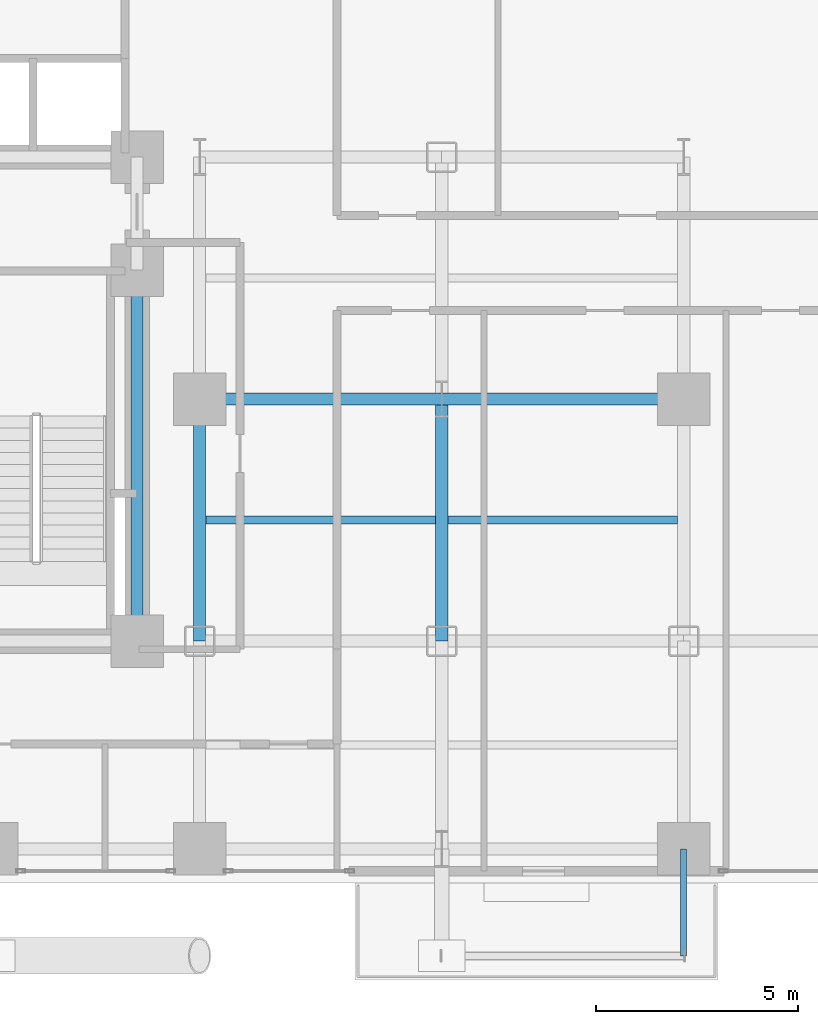
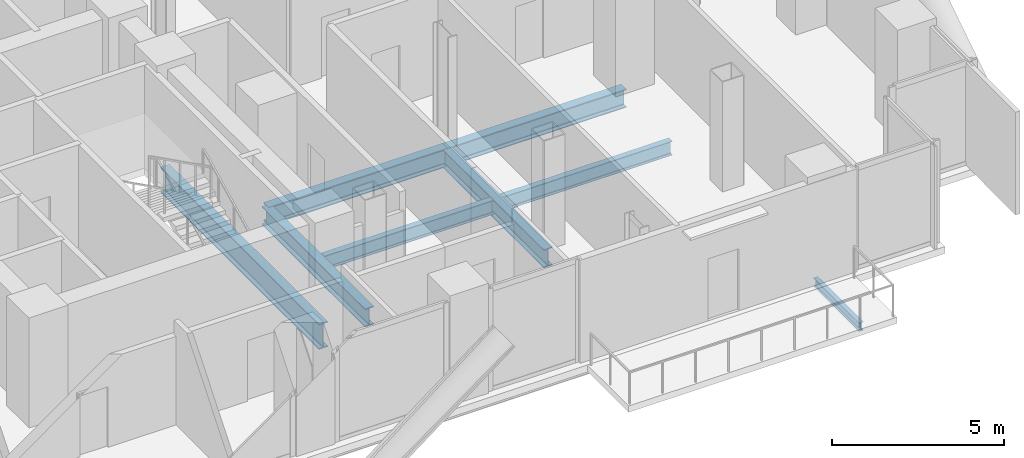
# One storey, part 9 of 27: 8 beams.
"""IFC4 building model written with IfcOpenShell, lengths in metres."""

import ifcopenshell
import ifcopenshell.guid

model = None  # the IFC model being written
_history = None  # IfcOwnerHistory: only IFC2X3 demands one
_inside = {}  # id of a spatial element -> (the spatial element, [elements in it])
_under = {}  # id of a project, library or spatial element -> (it, [spatial elements below it])
_declared = {}  # id of a project -> (the project, [libraries it declares])
_typed = {}  # id of a type object -> (the type object, [elements of that type])
_made_of = {}  # id of a material, layer set ... -> (it, [elements and type objects made of it])


def new_model(schema):
    """Start an empty IFC model of exactly this schema.

    Asked for "IFC4X3", IfcOpenShell would pick the latest addendum, in which some entities
    have other attributes; the version numbers below select the first issue.
    IFC2X3 requires an IfcOwnerHistory on every rooted entity: one is made here for all.
    """
    global model, _history
    if schema == "IFC4X3":
        model = ifcopenshell.file(schema_version=(4, 3, 0, 0))
    else:
        model = ifcopenshell.file(schema=schema)
    _inside.clear()
    _under.clear()
    _declared.clear()
    _typed.clear()
    _made_of.clear()
    _history = None
    if model.schema == "IFC2X3":
        org = make("IfcOrganization", Name="unknown")
        user = make(
            "IfcPersonAndOrganization",
            ThePerson=make("IfcPerson", FamilyName="unknown"),
            TheOrganization=org,
        )
        app = make(
            "IfcApplication",
            ApplicationDeveloper=org,
            Version="unknown",
            ApplicationFullName="unknown",
            ApplicationIdentifier="unknown",
        )
        _history = make(
            "IfcOwnerHistory",
            OwningUser=user,
            OwningApplication=app,
            ChangeAction="ADDED",
            CreationDate=0,
        )
    return model


def make(cls, **values):
    """One entity of the class cls with the attributes given. An attribute that is None is left unset."""
    return model.create_entity(
        cls, **{name: value for name, value in values.items() if value is not None}
    )


def rooted(cls, **values):
    """An entity with a GlobalId (a new one), such as an element, a storey or a relation."""
    return make(cls, GlobalId=ifcopenshell.guid.new(), OwnerHistory=_history, **values)


def si_unit(unit_type, name, prefix=None):
    """IfcSIUnit, for example si_unit("LENGTHUNIT", "METRE", prefix="MILLI")."""
    return make("IfcSIUnit", UnitType=unit_type, Prefix=prefix, Name=name)


def assignment(units):
    """IfcUnitAssignment: the units of a project."""
    return None if units is None else make("IfcUnitAssignment", Units=units)


def point(xyz):
    """IfcCartesianPoint."""
    return None if xyz is None else make("IfcCartesianPoint", Coordinates=xyz)


def direction(xyz):
    """IfcDirection."""
    return None if xyz is None else make("IfcDirection", DirectionRatios=xyz)


def frame(location, z_axis=None, x_axis=None):
    """IfcAxis2Placement3D, a coordinate frame: its origin and axes. An axis left out is left unset."""
    return make(
        "IfcAxis2Placement3D",
        Location=point(location),
        Axis=direction(z_axis),
        RefDirection=direction(x_axis),
    )


def frame_2d(location, x_axis=None):
    """IfcAxis2Placement2D, a coordinate frame in the plane: its origin and x axis."""
    return make(
        "IfcAxis2Placement2D", Location=point(location), RefDirection=direction(x_axis)
    )


def origin():
    """The frame at (0, 0, 0) with its axes left unset."""
    return frame((0.0, 0.0, 0.0))


def origin_2d():
    """The frame at (0, 0) in the plane with its x axis left unset."""
    return frame_2d((0.0, 0.0))


def place(relative_to, where):
    """IfcLocalPlacement: puts the frame where relative to a parent placement (None: the world)."""
    return make(
        "IfcLocalPlacement", PlacementRelTo=relative_to, RelativePlacement=where
    )


def context(
    kind, dimensions, precision=None, world=None, true_north=None, identifier=None
):
    """IfcGeometricRepresentationContext, for example the 3D "Model" context."""
    return make(
        "IfcGeometricRepresentationContext",
        ContextIdentifier=identifier,
        ContextType=kind,
        CoordinateSpaceDimension=dimensions,
        Precision=precision,
        WorldCoordinateSystem=world,
        TrueNorth=true_north,
    )


def subcontext(parent, identifier, kind, view, scale=None):
    """IfcGeometricRepresentationSubContext, for example "Body" below "Model"."""
    return make(
        "IfcGeometricRepresentationSubContext",
        ContextIdentifier=identifier,
        ContextType=kind,
        ParentContext=parent,
        TargetScale=scale,
        TargetView=view,
    )


def project(units=None, contexts=None):
    """IfcProject with its units and contexts."""
    return rooted(
        "IfcProject",
        Name="project",
        RepresentationContexts=contexts,
        UnitsInContext=assignment(units),
    )


def spatial(cls, under=None, at=None, **own):
    """A site, building, storey or space (cls), placed at a placement, below another one or the project."""
    s = rooted(cls, ObjectPlacement=at, **own)
    if under is not None:
        _under.setdefault(under.id(), (under, []))[1].append(s)
    return s


def profile(cls, at=None, kind="AREA", **sizes):
    """A parametric profile (cls). Its sizes go by their IFC names, for example OverallWidth=200.0."""
    return make(cls, ProfileType=kind, Position=at, **sizes)


def i_section(**sizes):
    """IfcIShapeProfileDef."""
    return profile("IfcIShapeProfileDef", **sizes)


def extrude(swept, where, along, depth):
    """IfcExtrudedAreaSolid: the profile swept, set in the frame where, extruded along a direction by depth."""
    return make(
        "IfcExtrudedAreaSolid",
        SweptArea=swept,
        Position=where,
        ExtrudedDirection=direction(along),
        Depth=depth,
    )


def shape(context_of_items, identifier, shape_type, items):
    """IfcShapeRepresentation: the items that make up one representation, for example the "Body"."""
    return make(
        "IfcShapeRepresentation",
        ContextOfItems=context_of_items,
        RepresentationIdentifier=identifier,
        RepresentationType=shape_type,
        Items=items,
    )


def material(Name=None, Category=None):
    """IfcMaterial."""
    return make("IfcMaterial", Name=Name, Category=Category)


def material_profile(
    of_material, cross_section, Name=None, Category=None, Priority=None
):
    """IfcMaterialProfile: a cross section and its material."""
    return make(
        "IfcMaterialProfile",
        Name=Name,
        Material=of_material,
        Profile=cross_section,
        Priority=Priority,
        Category=Category,
    )


def profile_set(profiles, Name=None, composite=None):
    """IfcMaterialProfileSet."""
    return make(
        "IfcMaterialProfileSet",
        Name=Name,
        MaterialProfiles=profiles,
        CompositeProfile=composite,
    )


def made_of(thing, what):
    """Note that an element or type object is made of a material, layer set ...; save() writes the relation."""
    if what is not None:
        _made_of.setdefault(what.id(), (what, []))[1].append(thing)
    return thing


def type_object(cls, material=None, **own):
    """A type object (cls), such as IfcWallType, which elements share."""
    return made_of(rooted(cls, **own), material)


def element(
    cls,
    number,
    at=None,
    inside=None,
    cuts=None,
    type_object=None,
    material=None,
    context=None,
    identifier="Body",
    shape_type=None,
    held_by="IfcProductDefinitionShape",
    body=None,
    shapes=None,
    **own,
):
    """One element of the class cls, such as IfcWall. Its Tag is "e" and its number.

    at: its placement. inside: the storey or other place that contains it. cuts: it is an
    opening in that element (IfcRelVoidsElement). A single representation is given by context,
    identifier, shape_type and body (its items); several are given by shapes. held_by: the class
    of the entity that holds the representations. save() writes the other relations.
    """
    e = rooted(cls, Tag="e%d" % number, ObjectPlacement=at, **own)
    if body is not None:
        shapes = [shape(context, identifier, shape_type, body)]
    if shapes is not None:
        e.Representation = make(held_by, Representations=shapes)
    if inside is not None:
        _inside.setdefault(inside.id(), (inside, []))[1].append(e)
    if cuts is not None:
        rooted(
            "IfcRelVoidsElement", RelatingBuildingElement=cuts, RelatedOpeningElement=e
        )
    if type_object is not None:
        _typed.setdefault(type_object.id(), (type_object, []))[1].append(e)
    return made_of(e, material)


def aggregate(whole, parts):
    """IfcRelAggregates: a whole, such as a stair, and the parts it consists of."""
    return rooted("IfcRelAggregates", RelatingObject=whole, RelatedObjects=parts)


def save(model, path):
    """Write the relations noted so far, then the file.

    IfcRelAggregates (storeys below a building ...), IfcRelContainedInSpatialStructure (elements
    in a storey), IfcRelDefinesByType, IfcRelAssociatesMaterial and IfcRelDeclares: one each for
    every whole, place, type object, material and project.
    """
    for whole, parts in _under.values():
        aggregate(whole, parts)
    for where, things in _inside.values():
        rooted(
            "IfcRelContainedInSpatialStructure",
            RelatedElements=things,
            RelatingStructure=where,
        )
    for kind, things in _typed.values():
        rooted("IfcRelDefinesByType", RelatedObjects=things, RelatingType=kind)
    for what, things in _made_of.values():
        rooted("IfcRelAssociatesMaterial", RelatedObjects=things, RelatingMaterial=what)
    for by, libraries in _declared.values():
        rooted("IfcRelDeclares", RelatingContext=by, RelatedDefinitions=libraries)
    model.write(path)


model = new_model("IFC4")

# Units and contexts
model_context = context("Model", 3, precision=1e-05, world=origin(), true_north=direction((0.0, 1.0)))
body_context = subcontext(model_context, "Body", "Model", "MODEL_VIEW")
ifc_project = project(units=[si_unit("LENGTHUNIT", "METRE"), si_unit("AREAUNIT", "SQUARE_METRE"), si_unit("VOLUMEUNIT", "CUBIC_METRE"), si_unit("PLANEANGLEUNIT", "RADIAN"), si_unit("MASSUNIT", "GRAM", prefix="KILO"), si_unit("THERMODYNAMICTEMPERATUREUNIT", "KELVIN"), si_unit("POWERUNIT", "WATT")], contexts=[model_context])

# Site, building, storey
site_placement = place(None, origin())
site = spatial("IfcSite", under=ifc_project, at=site_placement, CompositionType="ELEMENT")
building_placement = place(site_placement, origin())
building = spatial("IfcBuilding", under=site, at=building_placement, Name="Svarakhadi Broadcast Tower", CompositionType="ELEMENT")
storey_placement = place(building_placement, frame((0.0, 0.0, 55.800048828125)))
storey = spatial("IfcBuildingStorey", under=building, at=storey_placement, Name="L12", CompositionType="ELEMENT", Elevation=55.800048828125)

# Beams
ifc_material_1 = material(Name="Steel S355J2 (IS 2062 E350C)", Category="steel")
ifc_material_profile_1 = material_profile(ifc_material_1, i_section(OverallWidth=0.199951171875, OverallDepth=0.5, WebThickness=0.01025390625, FlangeThickness=0.01611328125, FilletRadius=0.02099609375, at=origin_2d()), Name="NPB 500x200x91")
ifc_profile_set_1 = profile_set([ifc_material_profile_1], Name="Steel S355J2 (IS 2062 E350C)")
beam_type_1 = type_object("IfcBeamType", Name="Beam_NPB500", PredefinedType="BEAM", material=ifc_profile_set_1)
for number, where, z_axis, x_axis, name in (
    (1, (35.31005859375, 9.0, -0.5), (1.0, 0.0, 0.0), (0.0, 1.0, 0.0), "L12 Secondary Composite Beam SB023"),
    (2, (41.31005859375, 9.0, -0.5), (1.0, 0.0, 0.0), (0.0, 1.0, 0.0), "L12 Secondary Composite Beam SB026"),
):
    element("IfcBeam", number, at=place(storey_placement, frame(where, z_axis=z_axis, x_axis=x_axis)), inside=storey, type_object=beam_type_1, Name=name, PredefinedType="BEAM", context=body_context, shape_type="SweptSolid", body=[
        extrude(i_section(OverallWidth=0.199951171875, OverallDepth=0.5, WebThickness=0.01025390625, FlangeThickness=0.01611328125, FilletRadius=0.02099609375, at=origin_2d()), origin(), (0.0, 0.0, 1.0), 5.679931640625),
    ])
ifc_material_profile_2 = material_profile(ifc_material_1, i_section(OverallWidth=0.300048828125, OverallDepth=0.64990234375, WebThickness=0.01611328125, FlangeThickness=0.031005859375, FilletRadius=0.027099609375, at=origin_2d()), Name="WPB 650x300x225")
ifc_profile_set_2 = profile_set([ifc_material_profile_2], Name="Steel S355J2 (IS 2062 E350C)")
beam_type_2 = type_object("IfcBeamType", Name="Girder_WPB650", PredefinedType="USERDEFINED", material=ifc_profile_set_2)
for number, where, z_axis, x_axis, name in (
    (3, (35.14990234375, 12.0, -0.574951171875), (1.0, 0.0, 0.0), (0.0, 1.0, 0.0), "L12 Primary E-W Girder G023"),
    (4, (41.14990234375, 12.0, -0.574951171875), (1.0, 0.0, 0.0), (0.0, 1.0, 0.0), "L12 Primary E-W Girder G024"),
    (5, (35.14990234375, 6.0, -0.574951171875), (0.0, 1.0, 0.0), (-1.0, 0.0, 0.0), "L12 Primary N-S Girder G077"),
    (6, (41.14990234375, 6.0, -0.574951171875), (0.0, 1.0, 0.0), (-1.0, 0.0, 0.0), "L12 Primary N-S Girder G080"),
):
    element("IfcBeam", number, at=place(storey_placement, frame(where, z_axis=z_axis, x_axis=x_axis)), inside=storey, type_object=beam_type_2, Name=name, ObjectType="GIRDER", PredefinedType="USERDEFINED", context=body_context, shape_type="SweptSolid", body=[
        extrude(i_section(OverallWidth=0.300048828125, OverallDepth=0.64990234375, WebThickness=0.01611328125, FlangeThickness=0.031005859375, FilletRadius=0.027099609375, at=origin_2d()), origin(), (0.0, 0.0, 1.0), 6.0),
    ])
ifc_material_2 = material(Name="Steel S460ML (IS 2062 E450BR)", Category="steel")
ifc_material_profile_3 = material_profile(ifc_material_2, i_section(OverallWidth=0.300048828125, OverallDepth=0.89990234375, WebThickness=0.0185546875, FlangeThickness=0.034912109375, FilletRadius=0.030029296875, at=origin_2d()), Name="WPB 900x300x291")
ifc_profile_set_3 = profile_set([ifc_material_profile_3], Name="Steel S460ML (IS 2062 E450BR)")
beam_type_3 = type_object("IfcBeamType", Name="Girder_WPB900", PredefinedType="USERDEFINED", material=ifc_profile_set_3)
beam_1_placement = place(storey_placement, frame((33.60009765625, 6.0, -0.699951171875), z_axis=(0.0, 1.0, 0.0), x_axis=(-1.0, 0.0, 0.0)))
element("IfcBeam", 7, at=beam_1_placement, inside=storey, type_object=beam_type_3, Name="L12 Primary N-S Girder G074", ObjectType="GIRDER", PredefinedType="USERDEFINED", context=body_context, shape_type="SweptSolid", body=[
    extrude(i_section(OverallWidth=0.300048828125, OverallDepth=0.89990234375, WebThickness=0.0185546875, FlangeThickness=0.034912109375, FilletRadius=0.030029296875, at=origin_2d()), origin(), (0.0, 0.0, 1.0), 9.199951171875),
])
ifc_material_profile_4 = material_profile(ifc_material_1, i_section(OverallWidth=0.14990234375, OverallDepth=0.300048828125, WebThickness=0.007080078125, FlangeThickness=0.0107421875, FilletRadius=0.014892578125, at=origin_2d()), Name="NPB 300x150x37")
ifc_profile_set_4 = profile_set([ifc_material_profile_4], Name="Steel S355J2 (IS 2062 E350C)")
beam_type_4 = type_object("IfcBeamType", Name="Spandrel_NPB300", PredefinedType="SPANDREL", material=ifc_profile_set_4)
beam_2_placement = place(storey_placement, frame((47.14990234375, 0.85009765625, -0.400146484375), z_axis=(0.0, -1.0, 0.0), x_axis=(1.0, 0.0, 0.0)))
element("IfcBeam", 8, at=beam_2_placement, inside=storey, type_object=beam_type_4, Name="L12 Balcony Cantilever Bracket 1B", PredefinedType="SPANDREL", context=body_context, shape_type="SweptSolid", body=[
    extrude(i_section(OverallWidth=0.14990234375, OverallDepth=0.300048828125, WebThickness=0.007080078125, FlangeThickness=0.0107421875, FilletRadius=0.014892578125, at=origin_2d()), origin(), (0.0, 0.0, 1.0), 2.650146484375),
])

save(model, "model.ifc")
